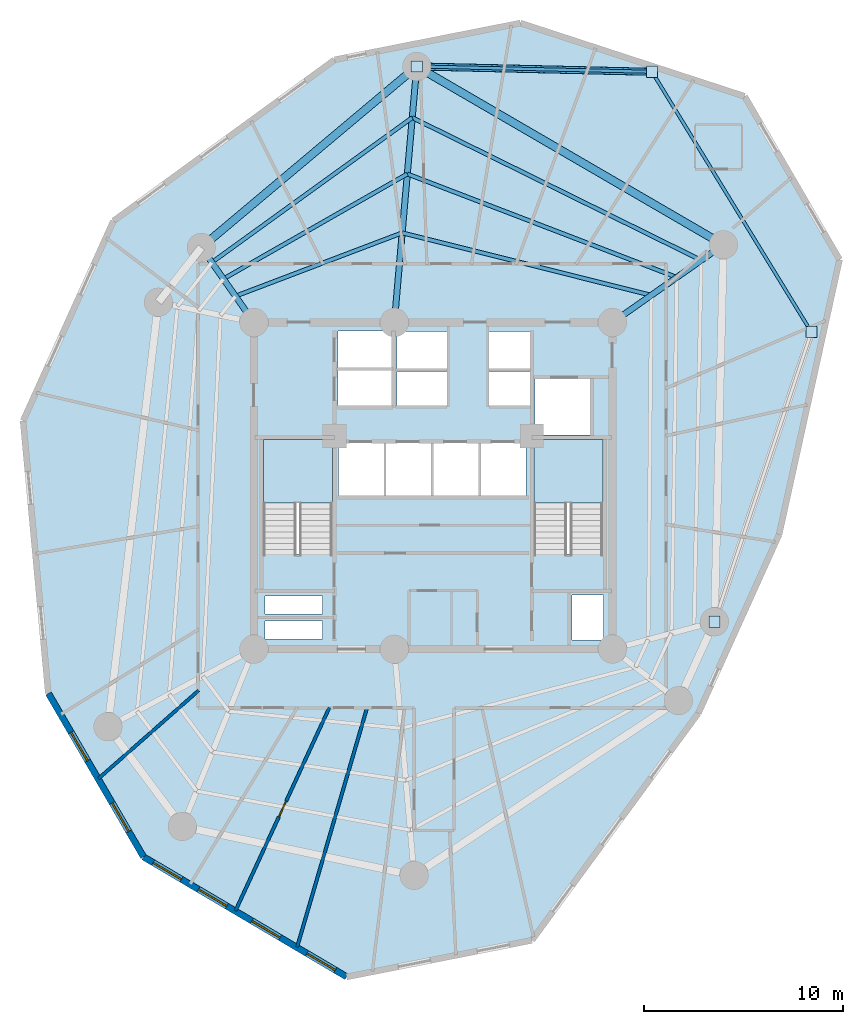
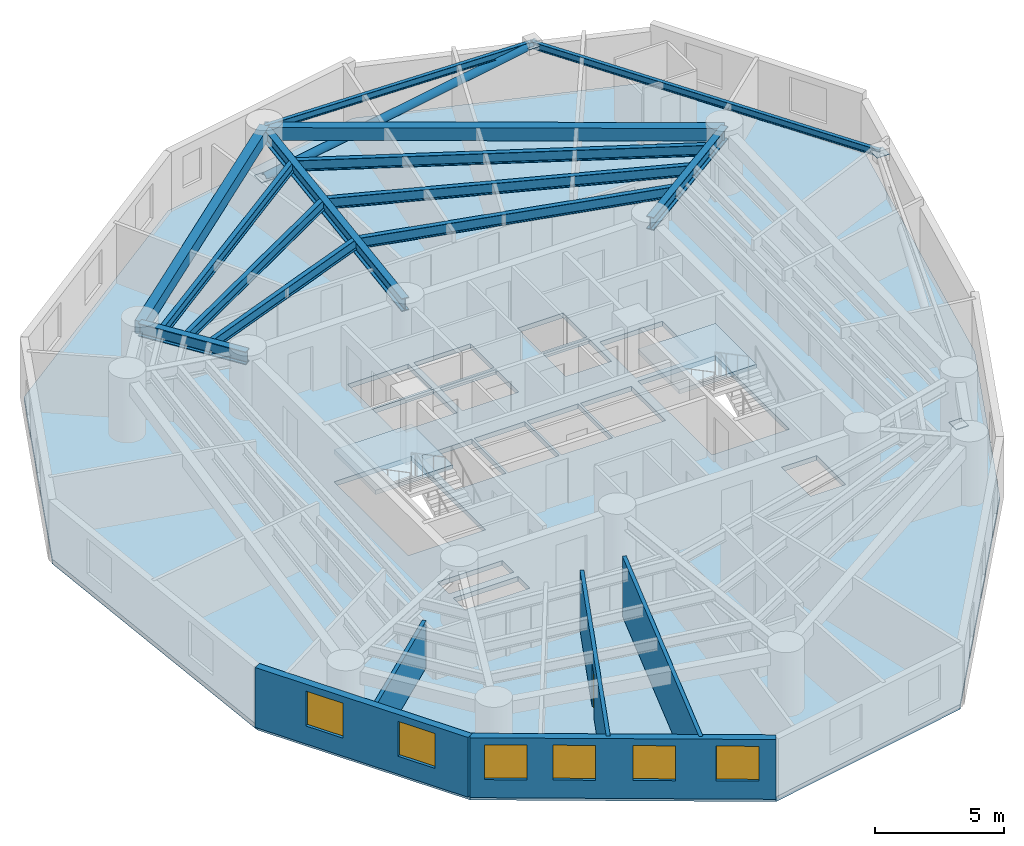
# One storey, part 2 of 8: 13 beams, 6 windows, 5 walls, 4 plates, 3 slabs, 1 door, 1 member, 7 openings, 2 elements without a shape of their own.
"""IFC4 building model written with IfcOpenShell, lengths in metres."""

from ifc_helpers import new_model, si_unit, direction, frame, frame_2d, origin, origin_with_axes, origin_2d, place, context, subcontext, project, spatial, polyline, rectangle, hollow_circle, i_section, outline, extrude, source, transform, mapped, material, layer, layer_set, material_profile, profile_set, type_object, element, fill, aggregate, save


model = new_model("IFC4")

# Units and contexts
model_context = context("Model", 3, precision=1e-05, world=origin(), true_north=direction((0.0, 1.0)))
body_context = subcontext(model_context, "Body", "Model", "MODEL_VIEW")
ifc_project = project(units=[si_unit("LENGTHUNIT", "METRE"), si_unit("AREAUNIT", "SQUARE_METRE"), si_unit("VOLUMEUNIT", "CUBIC_METRE"), si_unit("PLANEANGLEUNIT", "RADIAN"), si_unit("MASSUNIT", "GRAM", prefix="KILO")], contexts=[model_context])

# Site, building, storey
site_placement = place(None, origin())
site = spatial("IfcSite", under=ifc_project, at=site_placement, CompositionType="ELEMENT")
building_placement = place(site_placement, origin())
building = spatial("IfcBuilding", under=site, at=building_placement, Name="Karkom Vertical University and Central Library", CompositionType="ELEMENT")
storey_placement = place(building_placement, frame((0.0, 0.0, 126.699951171875)))
storey = spatial("IfcBuildingStorey", under=building, at=storey_placement, Name="L35", CompositionType="ELEMENT", Elevation=126.699951171875)

# Beams
ifc_material_1 = material(Name="Precast concrete C45/55", Category="concrete")
ifc_material_profile_1 = material_profile(ifc_material_1, rectangle(XDim=0.39990234375, YDim=0.60009765625, at=origin_2d()), Name="SPB-400x600")
ifc_profile_set_1 = profile_set([ifc_material_profile_1], Name="Precast concrete C45/55")
beam_type_1 = type_object("IfcBeamType", Name="STR-BM-SP-1", PredefinedType="SPANDREL", material=ifc_profile_set_1)
shared_shape_1 = source(origin_with_axes(), body_context, "Body", "SweptSolid", [
    extrude(rectangle(XDim=0.39990234375, YDim=0.60009765625, at=origin_2d()), origin(), (0.0, 0.0, 1.0), 17.808837890625),
])
beam_1_placement = place(storey_placement, frame((43.070068359375, 38.60009765625, 2.525146484375), z_axis=(-0.864512866362, 0.502610688202, 0.0), x_axis=(-0.502610688202, -0.864512866362, 0.0)))
element("IfcBeam", 1, at=beam_1_placement, inside=storey, type_object=beam_type_1, Name="Level 35 Perimeter Spandrel Beam 02", PredefinedType="SPANDREL", context=body_context, shape_type="MappedRepresentation", body=[
    mapped(shared_shape_1, transform((0.0, 0.0, 0.0), scale=1.0)),
])
shared_shape_2 = source(origin_with_axes(), body_context, "Body", "SweptSolid", [
    extrude(rectangle(XDim=0.39990234375, YDim=0.60009765625, at=origin_2d()), origin(), (0.0, 0.0, 1.0), 14.120849609375),
])
beam_2_placement = place(storey_placement, frame((27.674072265625, 47.551025390625, 2.525146484375), z_axis=(-0.765672847866, -0.643230199883, 0.0), x_axis=(0.643230199883, -0.765672847866, 0.0)))
element("IfcBeam", 2, at=beam_2_placement, inside=storey, type_object=beam_type_1, Name="Level 35 Perimeter Spandrel Beam 03", PredefinedType="SPANDREL", context=body_context, shape_type="MappedRepresentation", body=[
    mapped(shared_shape_2, transform((0.0, 0.0, 0.0), scale=1.0)),
])
ifc_material_2 = material(Name="Steel S355", Category="steel")
ifc_material_profile_2 = material_profile(ifc_material_2, i_section(OverallWidth=0.199951171875, OverallDepth=0.5, WebThickness=0.01025390625, FlangeThickness=0.01611328125, FilletRadius=0.02099609375, at=origin_2d()), Name="IPE 500")
ifc_profile_set_2 = profile_set([ifc_material_profile_2], Name="Steel S355")
beam_type_2 = type_object("IfcBeamType", Name="STR-BM-SB-IPE500", PredefinedType="BEAM", material=ifc_profile_set_2)
shared_shape_3 = source(origin_with_axes(), body_context, "Body", "SweptSolid", [
    extrude(i_section(OverallWidth=0.199951171875, OverallDepth=0.5, WebThickness=0.01025390625, FlangeThickness=0.01611328125, FilletRadius=0.02099609375, at=origin_2d()), origin(), (0.0, 0.0, 1.0), 12.892578125),
])
beam_3_placement = place(storey_placement, frame((39.449462890625, 36.06494140625, 2.574951171875), z_axis=(-0.970023194321, 0.243012350468, 0.0), x_axis=(-0.243012350468, -0.970023194321, 0.0)))
element("IfcBeam", 3, at=beam_3_placement, inside=storey, type_object=beam_type_2, Name="Level 35 Secondary Composite Floor Beam 1.02", PredefinedType="BEAM", context=body_context, shape_type="MappedRepresentation", body=[
    mapped(shared_shape_3, transform((0.0, 0.0, 0.0), scale=1.0)),
])
shared_shape_4 = source(origin_with_axes(), body_context, "Body", "SweptSolid", [
    extrude(i_section(OverallWidth=0.199951171875, OverallDepth=0.5, WebThickness=0.01025390625, FlangeThickness=0.01611328125, FilletRadius=0.02099609375, at=origin_2d()), origin(), (0.0, 0.0, 1.0), 8.950439453125),
])
beam_4_placement = place(storey_placement, frame((26.943359375, 39.197998046875, 2.574951171875), z_axis=(-0.93478901494, -0.355203459368, 0.0), x_axis=(0.355203459368, -0.93478901494, 0.0)))
element("IfcBeam", 4, at=beam_4_placement, inside=storey, type_object=beam_type_2, Name="Level 35 Secondary Composite Floor Beam 1.03", PredefinedType="BEAM", context=body_context, shape_type="MappedRepresentation", body=[
    mapped(shared_shape_4, transform((0.0, 0.0, 0.0), scale=1.0)),
])
shared_shape_5 = source(origin_with_axes(), body_context, "Body", "SweptSolid", [
    extrude(i_section(OverallWidth=0.199951171875, OverallDepth=0.5, WebThickness=0.01025390625, FlangeThickness=0.01611328125, FilletRadius=0.02099609375, at=origin_2d()), origin(), (0.0, 0.0, 1.0), 14.49072265625),
])
beam_5_placement = place(storey_placement, frame((40.730712890625, 36.9619140625, 2.574951171875), z_axis=(-0.93361673171, 0.35827335691, 0.0), x_axis=(-0.35827335691, -0.93361673171, 0.0)))
element("IfcBeam", 5, at=beam_5_placement, inside=storey, type_object=beam_type_2, Name="Level 35 Secondary Composite Floor Beam 2.02", PredefinedType="BEAM", context=body_context, shape_type="MappedRepresentation", body=[
    mapped(shared_shape_5, transform((0.0, 0.0, 0.0), scale=1.0)),
])
shared_shape_6 = source(origin_with_axes(), body_context, "Body", "SweptSolid", [
    extrude(i_section(OverallWidth=0.199951171875, OverallDepth=0.5, WebThickness=0.01025390625, FlangeThickness=0.01611328125, FilletRadius=0.02099609375, at=origin_2d()), origin(), (0.0, 0.0, 1.0), 10.629150390625),
])
beam_6_placement = place(storey_placement, frame((27.201904296875, 42.153564453125, 2.574951171875), z_axis=(-0.868539813491, -0.495619402748, 0.0), x_axis=(0.495619402748, -0.868539813491, 0.0)))
element("IfcBeam", 6, at=beam_6_placement, inside=storey, type_object=beam_type_2, Name="Level 35 Secondary Composite Floor Beam 2.03", PredefinedType="BEAM", context=body_context, shape_type="MappedRepresentation", body=[
    mapped(shared_shape_6, transform((0.0, 0.0, 0.0), scale=1.0)),
])
shared_shape_7 = source(origin_with_axes(), body_context, "Body", "SweptSolid", [
    extrude(i_section(OverallWidth=0.199951171875, OverallDepth=0.5, WebThickness=0.01025390625, FlangeThickness=0.01611328125, FilletRadius=0.02099609375, at=origin_2d()), origin(), (0.0, 0.0, 1.0), 16.177978515625),
])
beam_7_placement = place(storey_placement, frame((41.9560546875, 37.820068359375, 2.574951171875), z_axis=(-0.896709262653, 0.442620038263, 0.0), x_axis=(-0.442620038263, -0.896709262653, 0.0)))
element("IfcBeam", 7, at=beam_7_placement, inside=storey, type_object=beam_type_2, Name="Level 35 Secondary Composite Floor Beam 3.02", PredefinedType="BEAM", context=body_context, shape_type="MappedRepresentation", body=[
    mapped(shared_shape_7, transform((0.0, 0.0, 0.0), scale=1.0)),
])
shared_shape_8 = source(origin_with_axes(), body_context, "Body", "SweptSolid", [
    extrude(i_section(OverallWidth=0.199951171875, OverallDepth=0.5, WebThickness=0.01025390625, FlangeThickness=0.01611328125, FilletRadius=0.02099609375, at=origin_2d()), origin(), (0.0, 0.0, 1.0), 12.409423828125),
])
beam_8_placement = place(storey_placement, frame((27.44921875, 44.980712890625, 2.574951171875), z_axis=(-0.810636686292, -0.585549453793, 0.0), x_axis=(0.585549453793, -0.810636686292, 0.0)))
element("IfcBeam", 8, at=beam_8_placement, inside=storey, type_object=beam_type_2, Name="Level 35 Secondary Composite Floor Beam 3.03", PredefinedType="BEAM", context=body_context, shape_type="MappedRepresentation", body=[
    mapped(shared_shape_8, transform((0.0, 0.0, 0.0), scale=1.0)),
])
ifc_material_profile_3 = material_profile(ifc_material_2, i_section(OverallWidth=0.300048828125, OverallDepth=0.60009765625, WebThickness=0.015380859375, FlangeThickness=0.030029296875, FilletRadius=0.027099609375, at=origin_2d()), Name="HE 600 B")
ifc_profile_set_3 = profile_set([ifc_material_profile_3], Name="Steel S355")
beam_type_3 = type_object("IfcBeamType", Name="STR-BM-SB-HE600", PredefinedType="USERDEFINED", material=ifc_profile_set_3)
shared_shape_9 = source(origin_with_axes(), body_context, "Body", "SweptSolid", [
    extrude(i_section(OverallWidth=0.300048828125, OverallDepth=0.60009765625, WebThickness=0.015380859375, FlangeThickness=0.030029296875, FilletRadius=0.027099609375, at=origin_2d()), origin(), (0.0, 0.0, 1.0), 6.7998046875),
])
beam_9_placement = place(storey_placement, frame((37.5, 34.699951171875, 2.525146484375), z_axis=(0.819156008334, 0.573570775066, 0.0), x_axis=(-0.573570775066, 0.819156008334, 0.0)))
element("IfcBeam", 9, at=beam_9_placement, inside=storey, type_object=beam_type_3, Name="Level 35 Radial Frame Girder 02", ObjectType="GIRDER", PredefinedType="USERDEFINED", context=body_context, shape_type="MappedRepresentation", body=[
    mapped(shared_shape_9, transform((0.0, 0.0, 0.0), scale=1.0)),
])
shared_shape_10 = source(origin_with_axes(), body_context, "Body", "SweptSolid", [
    extrude(i_section(OverallWidth=0.300048828125, OverallDepth=0.60009765625, WebThickness=0.015380859375, FlangeThickness=0.030029296875, FilletRadius=0.027099609375, at=origin_2d()), origin(), (0.0, 0.0, 1.0), 12.900146484375),
])
beam_10_placement = place(storey_placement, frame((26.550048828125, 34.699951171875, 2.525146484375), z_axis=(0.087132673751, 0.996196716098, 0.0), x_axis=(-0.996196716098, 0.087132673751, 0.0)))
element("IfcBeam", 10, at=beam_10_placement, inside=storey, type_object=beam_type_3, Name="Level 35 Radial Frame Girder 03", ObjectType="GIRDER", PredefinedType="USERDEFINED", context=body_context, shape_type="MappedRepresentation", body=[
    mapped(shared_shape_10, transform((0.0, 0.0, 0.0), scale=1.0)),
])
shared_shape_11 = source(origin_with_axes(), body_context, "Body", "SweptSolid", [
    extrude(i_section(OverallWidth=0.300048828125, OverallDepth=0.60009765625, WebThickness=0.015380859375, FlangeThickness=0.030029296875, FilletRadius=0.027099609375, at=origin_2d()), origin(), (0.0, 0.0, 1.0), 4.599609375),
])
beam_11_placement = place(storey_placement, frame((19.5, 34.699951171875, 2.525146484375), z_axis=(-0.573505090764, 0.819201996377, 0.0), x_axis=(-0.819201996377, -0.573505090764, 0.0)))
element("IfcBeam", 11, at=beam_11_placement, inside=storey, type_object=beam_type_3, Name="Level 35 Radial Frame Girder 04", ObjectType="GIRDER", PredefinedType="USERDEFINED", context=body_context, shape_type="MappedRepresentation", body=[
    mapped(shared_shape_11, transform((0.0, 0.0, 0.0), scale=1.0)),
])
ifc_material_profile_4 = material_profile(ifc_material_2, i_section(OverallWidth=0.159912109375, OverallDepth=0.330078125, WebThickness=0.007568359375, FlangeThickness=0.011474609375, FilletRadius=0.01806640625, at=origin_2d()), Name="IPE 330")
ifc_profile_set_4 = profile_set([ifc_material_profile_4], Name="Steel S355")
beam_type_4 = type_object("IfcBeamType", Name="STR-BM-SB-IPE330", PredefinedType="BEAM", material=ifc_profile_set_4)
shared_shape_12 = source(origin_with_axes(), body_context, "Body", "SweptSolid", [
    extrude(i_section(OverallWidth=0.159912109375, OverallDepth=0.330078125, WebThickness=0.007568359375, FlangeThickness=0.011474609375, FilletRadius=0.01806640625, at=origin_2d()), origin(), (0.0, 0.0, 1.0), 11.814453125),
])
beam_12_placement = place(storey_placement, frame((27.674072265625, 47.551025390625, 2.66015625), z_axis=(0.999738313709, -0.022875841032, 0.0), x_axis=(0.022875841032, 0.999738313709, 0.0)))
element("IfcBeam", 12, at=beam_12_placement, inside=storey, type_object=beam_type_4, Name="Level 35 Sky Garden Outrigger Support Beam 2", PredefinedType="BEAM", context=body_context, shape_type="MappedRepresentation", body=[
    mapped(shared_shape_12, transform((0.0, 0.0, 0.0), scale=1.0)),
])

# Member
ifc_material_profile_5 = material_profile(ifc_material_2, hollow_circle(Radius=0.177734375, WallThickness=0.01611328125, at=origin_2d()), Name="CHS 355.6x16")
ifc_profile_set_5 = profile_set([ifc_material_profile_5], Name="Steel S355")
member_type = type_object("IfcMemberType", Name="STR-MEM-BR-3", PredefinedType="BRACE", material=ifc_profile_set_5)
shared_shape_13 = source(origin_with_axes(), body_context, "Body", "SweptSolid", [
    extrude(hollow_circle(Radius=0.177734375, WallThickness=0.01611328125, at=origin_2d()), origin(), (0.0, 0.0, 1.0), 12.0380859375),
])
member_placement = place(storey_placement, frame((27.674072265625, 47.551025390625, 0.35009765625), z_axis=(0.98115850341, -0.022450700992, 0.191895693571), x_axis=(0.022875841032, 0.999738313709, 0.0)))
element("IfcMember", 13, at=member_placement, inside=storey, type_object=member_type, Name="Level 35 Sky Garden Knee Strut Brace 2", PredefinedType="BRACE", context=body_context, shape_type="MappedRepresentation", body=[
    mapped(shared_shape_13, transform((0.0, 0.0, 0.0), scale=1.0)),
])

# Beam
shared_shape_14 = source(origin_with_axes(), body_context, "Body", "SweptSolid", [
    extrude(i_section(OverallWidth=0.159912109375, OverallDepth=0.330078125, WebThickness=0.007568359375, FlangeThickness=0.011474609375, FilletRadius=0.01806640625, at=origin_2d()), origin(), (0.0, 0.0, 1.0), 15.32177734375),
])
beam_13_placement = place(storey_placement, frame((47.48486328125, 34.213134765625, 2.66015625), z_axis=(-0.522102768587, 0.852882582208, 0.0), x_axis=(-0.852882582208, -0.522102768587, 0.0)))
element("IfcBeam", 14, at=beam_13_placement, inside=storey, type_object=beam_type_4, Name="Level 35 Sky Garden Perimeter Edge Beam", PredefinedType="BEAM", context=body_context, shape_type="MappedRepresentation", body=[
    mapped(shared_shape_14, transform((0.0, 0.0, 0.0), scale=1.0)),
])

# Stair, slab
ifc_material_3 = material(Name="Concrete C45/55", Category="concrete")
stair_type = type_object("IfcStairType", Name="INT-STR-ST-MAIN", PredefinedType="HALF_TURN_STAIR", material=ifc_material_3)
stair_1_placement = place(storey_placement, origin())
stair_1 = element("IfcStair", 15, at=stair_1_placement, inside=storey, type_object=stair_type, Name="Level 35 Tower Protected Exit Stair ST-1", PredefinedType="HALF_TURN_STAIR")
ifc_layer_1 = layer(ifc_material_3, 0.199951171875)
ifc_layer_set_1 = layer_set([ifc_layer_1], Name="Concrete C45/55")
slab_type_1 = type_object("IfcSlabType", Name="INT-SLB-LANDING", PredefinedType="LANDING", material=ifc_layer_set_1)
slab_1_placement = place(storey_placement, frame((0.0, 0.0, 1.324951171875)))
slab_1 = element("IfcSlab", 16, at=slab_1_placement, type_object=slab_type_1, Name="ST-1 landing 1", PredefinedType="LANDING", context=body_context, shape_type="SweptSolid", body=[
    extrude(outline(polyline([(23.43994140625, 25.6298828125), (23.43994140625, 28.820068359375), (19.97998046875, 28.820068359375), (19.97998046875, 25.6298828125), (23.43994140625, 25.6298828125)])), origin(), (0.0, 0.0, 1.0), 0.2001953125),
])
aggregate(stair_1, [slab_1])

stair_2_placement = place(storey_placement, origin())
stair_2 = element("IfcStair", 17, at=stair_2_placement, inside=storey, type_object=stair_type, Name="Level 35 Tower Protected Exit Stair ST-2", PredefinedType="HALF_TURN_STAIR")
slab_2_placement = place(storey_placement, frame((0.0, 0.0, 1.324951171875)))
slab_2 = element("IfcSlab", 18, at=slab_2_placement, type_object=slab_type_1, Name="ST-2 landing 1", PredefinedType="LANDING", context=body_context, shape_type="SweptSolid", body=[
    extrude(outline(polyline([(37.02001953125, 25.6298828125), (37.02001953125, 28.820068359375), (33.56005859375, 28.820068359375), (33.56005859375, 25.6298828125), (37.02001953125, 25.6298828125)])), origin(), (0.0, 0.0, 1.0), 0.2001953125),
])
aggregate(stair_2, [slab_2])

# Slab
ifc_layer_2 = layer(ifc_material_3, 0.22509765625)
ifc_layer_set_2 = layer_set([ifc_layer_2], Name="Concrete C45/55")
slab_type_2 = type_object("IfcSlabType", Name="STR-SLB-FLR-225", PredefinedType="FLOOR", material=ifc_layer_set_2)
slab_3_placement = place(storey_placement, frame((0.0, 0.0, -0.224853515625)))
element("IfcSlab", 19, at=slab_3_placement, inside=storey, type_object=slab_type_2, Name="Level 35 Tower Structural Floor Slab", PredefinedType="FLOOR", context=body_context, shape_type="SweptSolid", body=[
    extrude(outline(polyline([(12.452392578125, 39.79248046875), (7.9189453125, 29.76123046875), (9.18359375, 16.080810546875), (13.95947265625, 7.869384765625), (24.15283203125, 1.85009765625), (33.451904296875, 3.687255859375), (41.81103515625, 15.091552734375), (45.858642578125, 24.047607421875), (48.894775390625, 37.857421875), (44.12890625, 46.05126953125), (32.87548828125, 49.724609375), (23.556396484375, 47.883056640625), (12.452392578125, 39.79248046875)]), holes=[polyline([(19.97998046875, 23.0849609375), (23.43994140625, 23.0849609375), (23.43994140625, 28.820068359375), (19.97998046875, 28.820068359375), (19.97998046875, 23.0849609375)]), polyline([(33.56005859375, 23.0849609375), (37.02001953125, 23.0849609375), (37.02001953125, 28.820068359375), (33.56005859375, 28.820068359375), (33.56005859375, 23.0849609375)]), polyline([(23.75, 26.0), (26.030029296875, 26.0), (26.030029296875, 28.64990234375), (23.75, 28.64990234375), (23.75, 26.0)]), polyline([(26.1298828125, 26.0), (28.409912109375, 26.0), (28.409912109375, 28.64990234375), (26.1298828125, 28.64990234375), (26.1298828125, 26.0)]), polyline([(28.510009765625, 26.0), (30.7900390625, 26.0), (30.7900390625, 28.64990234375), (28.510009765625, 28.64990234375), (28.510009765625, 26.0)]), polyline([(30.889892578125, 26.0), (33.169921875, 26.0), (33.169921875, 28.64990234375), (30.889892578125, 28.64990234375), (30.889892578125, 26.0)]), polyline([(26.679931640625, 30.5), (29.199951171875, 30.5), (29.199951171875, 32.25), (26.679931640625, 32.25), (26.679931640625, 30.5)]), polyline([(26.679931640625, 32.39990234375), (29.199951171875, 32.39990234375), (29.199951171875, 34.25), (26.679931640625, 34.25), (26.679931640625, 32.39990234375)]), polyline([(31.300048828125, 30.5), (33.35009765625, 30.5), (33.35009765625, 32.25), (31.300048828125, 32.25), (31.300048828125, 30.5)]), polyline([(31.300048828125, 32.39990234375), (33.35009765625, 32.39990234375), (33.35009765625, 34.25), (31.300048828125, 34.25), (31.300048828125, 32.39990234375)]), polyline([(23.719970703125, 30.47998046875), (26.429931640625, 30.47998046875), (26.429931640625, 32.320068359375), (23.719970703125, 32.320068359375), (23.719970703125, 30.47998046875)]), polyline([(23.719970703125, 32.419921875), (26.429931640625, 32.419921875), (26.429931640625, 34.260009765625), (23.719970703125, 34.260009765625), (23.719970703125, 32.419921875)]), polyline([(33.60009765625, 29.050048828125), (36.39990234375, 29.050048828125), (36.39990234375, 31.85009765625), (33.60009765625, 31.85009765625), (33.60009765625, 29.050048828125)]), polyline([(20.050048828125, 18.820068359375), (22.949951171875, 18.820068359375), (22.949951171875, 19.719970703125), (20.050048828125, 19.719970703125), (20.050048828125, 18.820068359375)]), polyline([(20.050048828125, 20.06005859375), (22.949951171875, 20.06005859375), (22.949951171875, 20.9599609375), (20.050048828125, 20.9599609375), (20.050048828125, 20.06005859375)]), polyline([(35.4599609375, 18.760009765625), (37.0400390625, 18.760009765625), (37.0400390625, 21.010009765625), (35.4599609375, 21.010009765625), (35.4599609375, 18.760009765625)])]), origin(), (0.0, 0.0, 1.0), 0.224853515625),
])

# Plates
ifc_layer_3 = layer(ifc_material_2, 0.028076171875)
ifc_layer_set_3 = layer_set([ifc_layer_3], Name="Steel S355")
plate_type = type_object("IfcPlateType", Name="STR-PLT-GP-2", PredefinedType="USERDEFINED", material=ifc_layer_set_3)
shared_shape_15 = source(origin_with_axes(), body_context, "Body", "SweptSolid", [
    extrude(rectangle(XDim=0.56005859375, YDim=0.56005859375, at=origin_2d()), origin(), (0.0, 0.0, 1.0), 0.028076171875),
])
for number, where, z_axis, x_axis, name in (
    (20, (42.618896484375, 19.672119140625, 0.3359375), (0.0, 0.0, 1.0), (1.0, 0.0, 0.0), "Level 35 Node Gusset Cap Plate L35-SKG-KNEE-1 A"),
    (21, (47.48486328125, 34.213134765625, 2.64599609375), (0.0, 0.0, 1.0), (1.0, 0.0, 0.0), "Level 35 Node Gusset Cap Plate L35-SKG-KNEE-1 B"),
    (22, (27.674072265625, 47.551025390625, 0.3359375), (0.0, 0.0, 1.0), (1.0, 0.0, 0.0), "Level 35 Node Gusset Cap Plate L35-SKG-KNEE-2 A"),
    (23, (39.4853515625, 47.28076171875, 2.64599609375), (0.0, 0.0, 1.0), (1.0, 0.0, 0.0), "Level 35 Node Gusset Cap Plate L35-SKG-KNEE-2 B"),
):
    element("IfcPlate", number, at=place(storey_placement, frame(where, z_axis=z_axis, x_axis=x_axis)), inside=storey, type_object=plate_type, Name=name, ObjectType="GUSSET PLATE", PredefinedType="USERDEFINED", context=body_context, shape_type="MappedRepresentation", body=[
        mapped(shared_shape_15, transform((0.0, 0.0, 0.0), scale=1.0)),
    ])

# Wall, openings, windows
ifc_material_4 = material(Name="Brick-faced precast concrete C45/55", Category="masonry")
ifc_layer_4 = layer(ifc_material_4, 0.320068359375)
ifc_layer_set_4 = layer_set([ifc_layer_4], Name="Brick-faced precast concrete C45/55")
wall_type_1 = type_object("IfcWallType", Name="ENV-WL-BRK-320", PredefinedType="SOLIDWALL", material=ifc_layer_set_4)
wall_1_placement = place(storey_placement, frame((9.18359375, 16.080810546875, 0.0), z_axis=(0.0, 0.0, 1.0), x_axis=(0.502761608414, -0.864425106707, 0.0)))
wall_1 = element("IfcWall", 24, at=wall_1_placement, inside=storey, type_object=wall_type_1, Name="Level 35 Brick-Faced Precast Facade Wall 03", PredefinedType="SOLIDWALL", context=body_context, shape_type="SweptSolid", body=[
    extrude(rectangle(XDim=9.499267578125, YDim=0.320068359375, at=frame_2d((4.74951171875, 0.0))), origin(), (0.0, 0.0, 1.0), 2.824951171875),
])
opening_1_placement = place(wall_1_placement, frame((2.2646484375, 0.0, 0.85009765625)))
opening_1 = element("IfcOpeningElement", 25, at=opening_1_placement, cuts=wall_1, Name="Opening WN-06", PredefinedType="OPENING", context=body_context, shape_type="SweptSolid", body=[
    extrude(rectangle(XDim=1.64990234375, YDim=1.64990234375, at=frame_2d((0.824951171875, 0.824951171875))), frame((0.0, 0.169921875, 0.0), z_axis=(0.0, -1.0, 0.0), x_axis=(1.0, 0.0, 0.0)), (0.0, 0.0, 1.0), 0.340087890625),
])
opening_2_placement = place(wall_1_placement, frame((6.372314453125, 0.0, 0.85009765625)))
opening_2 = element("IfcOpeningElement", 26, at=opening_2_placement, cuts=wall_1, Name="Opening WN-06", PredefinedType="OPENING", context=body_context, shape_type="SweptSolid", body=[
    extrude(rectangle(XDim=1.64990234375, YDim=1.64990234375, at=frame_2d((0.824951171875, 0.824951171875))), frame((0.0, 0.169921875, 0.0), z_axis=(0.0, -1.0, 0.0), x_axis=(1.0, 0.0, 0.0)), (0.0, 0.0, 1.0), 0.340087890625),
])
ifc_material_5 = material(Name="Aluminium thermal-break frame with solar-control IGU", Category="aluminium")
window_type = type_object("IfcWindowType", Name="ENV-WIN-WN-06", PartitioningType="SINGLE_PANEL", PredefinedType="WINDOW", material=ifc_material_5)
shared_shape_16 = source(origin_with_axes(), body_context, "Body", "SweptSolid", [
    extrude(rectangle(XDim=1.64990234375, YDim=1.64990234375, at=frame_2d((0.824951171875, 0.824951171875))), frame((0.0, 0.030029296875, 0.0), z_axis=(0.0, -1.0, 0.0), x_axis=(1.0, 0.0, 0.0)), (0.0, 0.0, 1.0), 0.06005859375),
])
window_1_placement = place(opening_1_placement, origin())
window_1 = element("IfcWindow", 27, at=window_1_placement, inside=storey, type_object=window_type, Name="Level 35 Punched Window 3.1", OverallHeight=1.64990234375, OverallWidth=1.64990234375, PartitioningType="SINGLE_PANEL", PredefinedType="WINDOW", context=body_context, shape_type="MappedRepresentation", body=[
    mapped(shared_shape_16, transform((0.0, 0.0, 0.0), scale=1.0)),
])
fill(opening_1, window_1)
window_2_placement = place(opening_2_placement, origin())
window_2 = element("IfcWindow", 28, at=window_2_placement, inside=storey, type_object=window_type, Name="Level 35 Punched Window 3.2", OverallHeight=1.64990234375, OverallWidth=1.64990234375, PartitioningType="SINGLE_PANEL", PredefinedType="WINDOW", context=body_context, shape_type="MappedRepresentation", body=[
    mapped(shared_shape_16, transform((0.0, 0.0, 0.0), scale=1.0)),
])
fill(opening_2, window_2)

wall_2_placement = place(storey_placement, frame((13.95947265625, 7.869384765625, 0.0), z_axis=(0.0, 0.0, 1.0), x_axis=(0.861076761885, -0.508474984774, 0.0)))
wall_2 = element("IfcWall", 29, at=wall_2_placement, inside=storey, type_object=wall_type_1, Name="Level 35 Brick-Faced Precast Facade Wall 04", PredefinedType="SOLIDWALL", context=body_context, shape_type="SweptSolid", body=[
    extrude(rectangle(XDim=11.837890625, YDim=0.320068359375, at=frame_2d((5.9189453125, 0.0))), origin(), (0.0, 0.0, 1.0), 2.824951171875),
])
opening_3_placement = place(wall_2_placement, frame((0.5615234375, 0.0, 0.85009765625)))
opening_3 = element("IfcOpeningElement", 30, at=opening_3_placement, cuts=wall_2, Name="Opening WN-06", PredefinedType="OPENING", context=body_context, shape_type="SweptSolid", body=[
    extrude(rectangle(XDim=1.64990234375, YDim=1.64990234375, at=frame_2d((0.824951171875, 0.824951171875))), frame((0.0, 0.169921875, 0.0), z_axis=(0.0, -1.0, 0.0), x_axis=(1.0, 0.0, 0.0)), (0.0, 0.0, 1.0), 0.340087890625),
])
opening_4_placement = place(wall_2_placement, frame((3.203857421875, 0.0, 0.85009765625)))
opening_4 = element("IfcOpeningElement", 31, at=opening_4_placement, cuts=wall_2, Name="Opening WN-06", PredefinedType="OPENING", context=body_context, shape_type="SweptSolid", body=[
    extrude(rectangle(XDim=1.64990234375, YDim=1.64990234375, at=frame_2d((0.824951171875, 0.824951171875))), frame((0.0, 0.169921875, 0.0), z_axis=(0.0, -1.0, 0.0), x_axis=(1.0, 0.0, 0.0)), (0.0, 0.0, 1.0), 0.340087890625),
])
opening_5_placement = place(wall_2_placement, frame((6.3125, 0.0, 0.85009765625)))
opening_5 = element("IfcOpeningElement", 32, at=opening_5_placement, cuts=wall_2, Name="Opening WN-06", PredefinedType="OPENING", context=body_context, shape_type="SweptSolid", body=[
    extrude(rectangle(XDim=1.64990234375, YDim=1.64990234375, at=frame_2d((0.824951171875, 0.824951171875))), frame((0.0, 0.169921875, 0.0), z_axis=(0.0, -1.0, 0.0), x_axis=(1.0, 0.0, 0.0)), (0.0, 0.0, 1.0), 0.340087890625),
])
opening_6_placement = place(wall_2_placement, frame((9.529296875, 0.0, 0.85009765625)))
opening_6 = element("IfcOpeningElement", 33, at=opening_6_placement, cuts=wall_2, Name="Opening WN-06", PredefinedType="OPENING", context=body_context, shape_type="SweptSolid", body=[
    extrude(rectangle(XDim=1.64990234375, YDim=1.64990234375, at=frame_2d((0.824951171875, 0.824951171875))), frame((0.0, 0.169921875, 0.0), z_axis=(0.0, -1.0, 0.0), x_axis=(1.0, 0.0, 0.0)), (0.0, 0.0, 1.0), 0.340087890625),
])
window_3_placement = place(opening_3_placement, origin())
window_3 = element("IfcWindow", 34, at=window_3_placement, inside=storey, type_object=window_type, Name="Level 35 Punched Window 4.1", OverallHeight=1.64990234375, OverallWidth=1.64990234375, PartitioningType="SINGLE_PANEL", PredefinedType="WINDOW", context=body_context, shape_type="MappedRepresentation", body=[
    mapped(shared_shape_16, transform((0.0, 0.0, 0.0), scale=1.0)),
])
fill(opening_3, window_3)
window_4_placement = place(opening_4_placement, origin())
window_4 = element("IfcWindow", 35, at=window_4_placement, inside=storey, type_object=window_type, Name="Level 35 Punched Window 4.2", OverallHeight=1.64990234375, OverallWidth=1.64990234375, PartitioningType="SINGLE_PANEL", PredefinedType="WINDOW", context=body_context, shape_type="MappedRepresentation", body=[
    mapped(shared_shape_16, transform((0.0, 0.0, 0.0), scale=1.0)),
])
fill(opening_4, window_4)
window_5_placement = place(opening_5_placement, origin())
window_5 = element("IfcWindow", 36, at=window_5_placement, inside=storey, type_object=window_type, Name="Level 35 Punched Window 4.3", OverallHeight=1.64990234375, OverallWidth=1.64990234375, PartitioningType="SINGLE_PANEL", PredefinedType="WINDOW", context=body_context, shape_type="MappedRepresentation", body=[
    mapped(shared_shape_16, transform((0.0, 0.0, 0.0), scale=1.0)),
])
fill(opening_5, window_5)
window_6_placement = place(opening_6_placement, origin())
window_6 = element("IfcWindow", 37, at=window_6_placement, inside=storey, type_object=window_type, Name="Level 35 Punched Window 4.4", OverallHeight=1.64990234375, OverallWidth=1.64990234375, PartitioningType="SINGLE_PANEL", PredefinedType="WINDOW", context=body_context, shape_type="MappedRepresentation", body=[
    mapped(shared_shape_16, transform((0.0, 0.0, 0.0), scale=1.0)),
])
fill(opening_6, window_6)

# Wall
ifc_material_6 = material(Name="Insulated metal-stud drywall 160mm", Category="gypsum")
ifc_layer_5 = layer(ifc_material_6, 0.159912109375)
ifc_layer_set_5 = layer_set([ifc_layer_5], Name="Insulated metal-stud drywall 160mm")
wall_type_2 = type_object("IfcWallType", Name="INT-WL-COR-160", PredefinedType="PARTITIONING", material=ifc_layer_set_5)
wall_3_placement = place(storey_placement, frame((25.18701171875, 15.37890625, 0.0), z_axis=(0.0, 0.0, 1.0), x_axis=(-0.280545183225, -0.959840820224, 0.0)))
element("IfcWall", 38, at=wall_3_placement, inside=storey, type_object=wall_type_2, Name="Level 35 Interior Partition Wall L35-PW-006", PredefinedType="PARTITIONING", context=body_context, shape_type="SweptSolid", body=[
    extrude(rectangle(XDim=12.534912109375, YDim=0.159912109375, at=frame_2d((6.267578125, 0.0))), origin(), (0.0, 0.0, 1.0), 2.824951171875),
])

# Wall, opening, door
wall_4_placement = place(storey_placement, frame((23.293701171875, 15.377197265625, 0.0), z_axis=(0.0, 0.0, 1.0), x_axis=(-0.419509818546, -0.907750798481, 0.0)))
wall_4 = element("IfcWall", 39, at=wall_4_placement, inside=storey, type_object=wall_type_2, Name="Level 35 Interior Partition Wall L35-PW-005", PredefinedType="PARTITIONING", context=body_context, shape_type="SweptSolid", body=[
    extrude(rectangle(XDim=11.242431640625, YDim=0.159912109375, at=frame_2d((5.62109375, 0.0))), origin(), (0.0, 0.0, 1.0), 2.824951171875),
])
opening_7_placement = place(wall_4_placement, frame((5.191162109375, 0.0, 0.0)))
opening_7 = element("IfcOpeningElement", 40, at=opening_7_placement, cuts=wall_4, Name="Opening FD-BTH2", PredefinedType="OPENING", context=body_context, shape_type="SweptSolid", body=[
    extrude(rectangle(XDim=0.860107421875, YDim=2.0400390625, at=frame_2d((0.43017578125, 1.02001953125))), frame((0.0, 0.08984375, 0.0), z_axis=(0.0, -1.0, 0.0), x_axis=(1.0, 0.0, 0.0)), (0.0, 0.0, 1.0), 0.179931640625),
])
ifc_material_7 = material(Name="Fire-rated moisture-resistant oak door", Category="wood")
door_type = type_object("IfcDoorType", Name="INT-DR-FBTH2", OperationType="NOTDEFINED", PredefinedType="DOOR", material=ifc_material_7)
shared_shape_17 = source(origin_with_axes(), body_context, "Body", "SweptSolid", [
    extrude(rectangle(XDim=0.860107421875, YDim=2.0400390625, at=frame_2d((0.43017578125, 1.02001953125))), frame((0.0, 0.02490234375, 0.0), z_axis=(0.0, -1.0, 0.0), x_axis=(1.0, 0.0, 0.0)), (0.0, 0.0, 1.0), 0.050048828125),
])
door_placement = place(opening_7_placement, origin())
door = element("IfcDoor", 41, at=door_placement, inside=storey, type_object=door_type, Name="Level 35 Departmental Reference Reading Library Entry Door", OperationType="SINGLE_SWING_RIGHT", OverallHeight=2.0400390625, OverallWidth=0.860107421875, PredefinedType="DOOR", context=body_context, shape_type="MappedRepresentation", body=[
    mapped(shared_shape_17, transform((0.0, 0.0, 0.0), scale=1.0)),
])
fill(opening_7, door)

# Wall
wall_5_placement = place(storey_placement, frame((16.73388671875, 16.23095703125, 0.0), z_axis=(0.0, 0.0, 1.0), x_axis=(-0.750897746751, -0.660418483936, 0.0)))
element("IfcWall", 42, at=wall_5_placement, inside=storey, type_object=wall_type_2, Name="Level 35 Interior Partition Wall L35-PW-003", PredefinedType="PARTITIONING", context=body_context, shape_type="SweptSolid", body=[
    extrude(rectangle(XDim=6.70263671875, YDim=0.159912109375, at=frame_2d((3.351318359375, 0.0))), origin(), (0.0, 0.0, 1.0), 2.22509765625),
])

save(model, "model.ifc")
